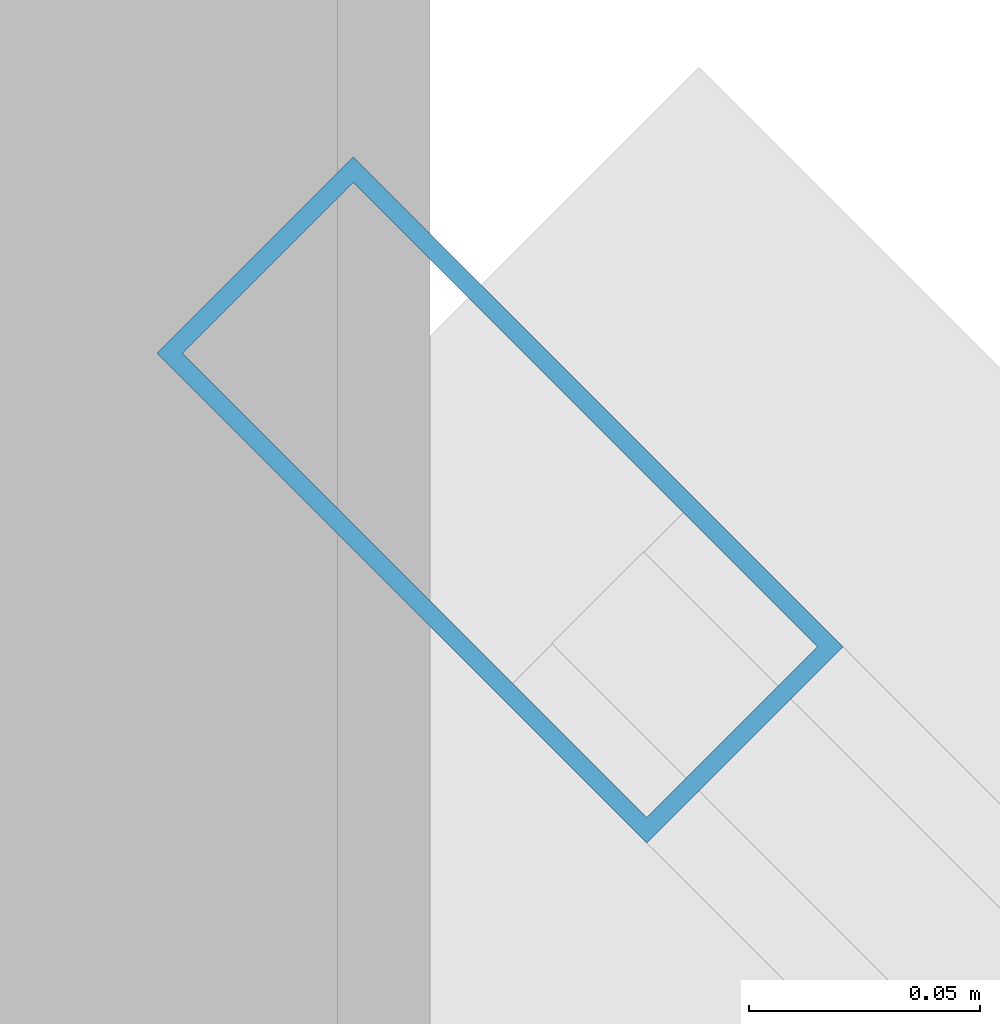
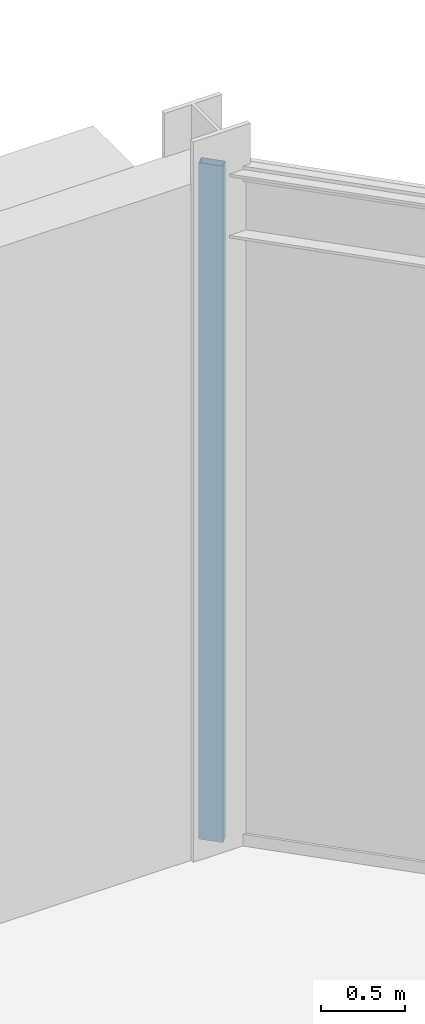
# One storey, part 78 of 168: 1 member, 1 element without a shape of its own.
"""IFC4 building model written with IfcOpenShell, lengths in metres."""

from ifc_helpers import new_model, si_unit, direction, frame, origin, origin_2d, place, context, subcontext, project, spatial, hollow_rectangle, extrude, material, material_profile, profile_set, type_object, element, aggregate, save


model = new_model("IFC4")

# Units and contexts
model_context = context("Model", 3, precision=1e-05, world=origin(), true_north=direction((0.0, 1.0)))
body_context = subcontext(model_context, "Body", "Model", "MODEL_VIEW")
ifc_project = project(units=[si_unit("LENGTHUNIT", "METRE"), si_unit("AREAUNIT", "SQUARE_METRE"), si_unit("VOLUMEUNIT", "CUBIC_METRE"), si_unit("PLANEANGLEUNIT", "RADIAN"), si_unit("MASSUNIT", "GRAM", prefix="KILO")], contexts=[model_context])

# Site, building, storey
site_placement = place(None, origin())
site = spatial("IfcSite", under=ifc_project, at=site_placement, CompositionType="ELEMENT")
building_placement = place(site_placement, origin())
building = spatial("IfcBuilding", under=site, at=building_placement, Name="Almandine Court Research Institute", CompositionType="ELEMENT")
storey_placement = place(building_placement, origin())
storey = spatial("IfcBuildingStorey", under=building, at=storey_placement, Name="L00", CompositionType="ELEMENT", Elevation=0.0)

# Curtain wall, member
ifc_material_1 = material(Name="Unitised Curtain Wall Framing and Solar Glazing", Category="glass")
curtain_wall_type = type_object("IfcCurtainWallType", Name="CW-CWG-04", PredefinedType="USERDEFINED", material=ifc_material_1)
curtain_wall_placement = place(storey_placement, origin())
curtain_wall = element("IfcCurtainWall", 1, at=curtain_wall_placement, inside=storey, type_object=curtain_wall_type, Name="L00 Cleanroom NE Chamfer Glazing", ObjectType="UNITISED GLAZING", PredefinedType="USERDEFINED")
ifc_material_2 = material(Name="Anodised Aluminium AW-6063-T6", Category="aluminium")
ifc_material_profile = material_profile(ifc_material_2, hollow_rectangle(XDim=0.06005859375, YDim=0.14990234375, WallThickness=0.00390625, at=origin_2d()), Name="ALU RHS 60x150x4")
ifc_profile_set = profile_set([ifc_material_profile], Name="Anodised Aluminium AW-6063-T6")
member_type = type_object("IfcMemberType", Name="CWMul-60x150", PredefinedType="MULLION", material=ifc_profile_set)
member_placement = place(storey_placement, frame((30.025146484375, 117.57470703125, 0.0), z_axis=(0.0, 0.0, 1.0), x_axis=(0.707106781187, 0.707106781187, 0.0)))
member = element("IfcMember", 2, at=member_placement, type_object=member_type, Name="CWG-04 mullion 1", PredefinedType="MULLION", context=body_context, shape_type="SweptSolid", body=[
    extrude(hollow_rectangle(XDim=0.06005859375, YDim=0.14990234375, WallThickness=0.00390625, at=origin_2d()), origin(), (0.0, 0.0, 1.0), 4.929931640625),
])
aggregate(curtain_wall, [member])

save(model, "model.ifc")
